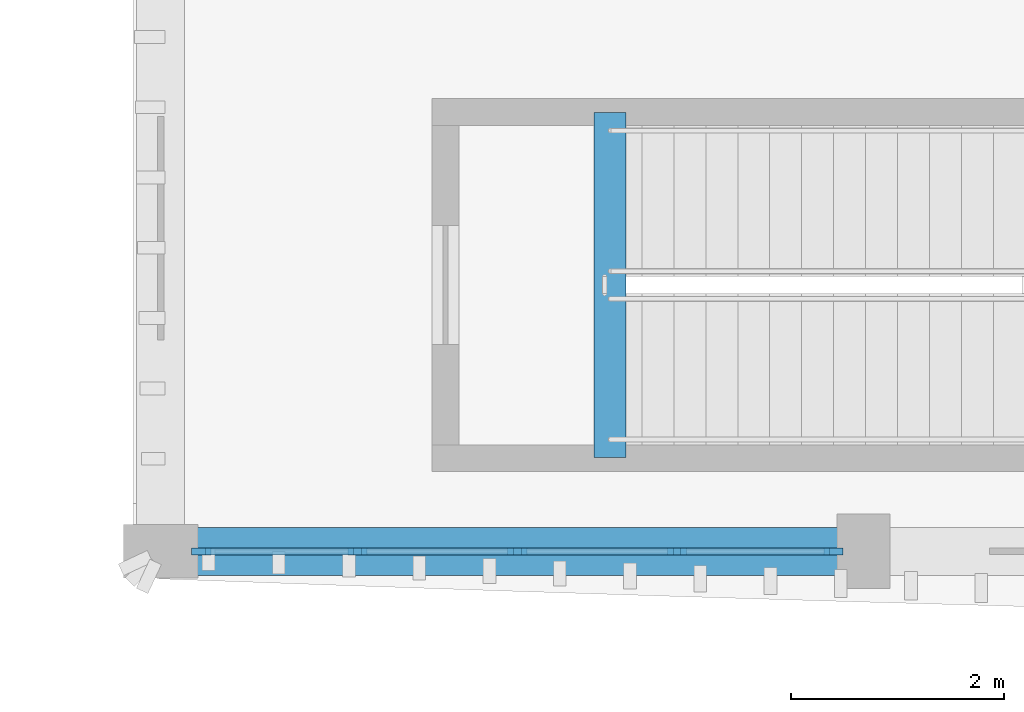
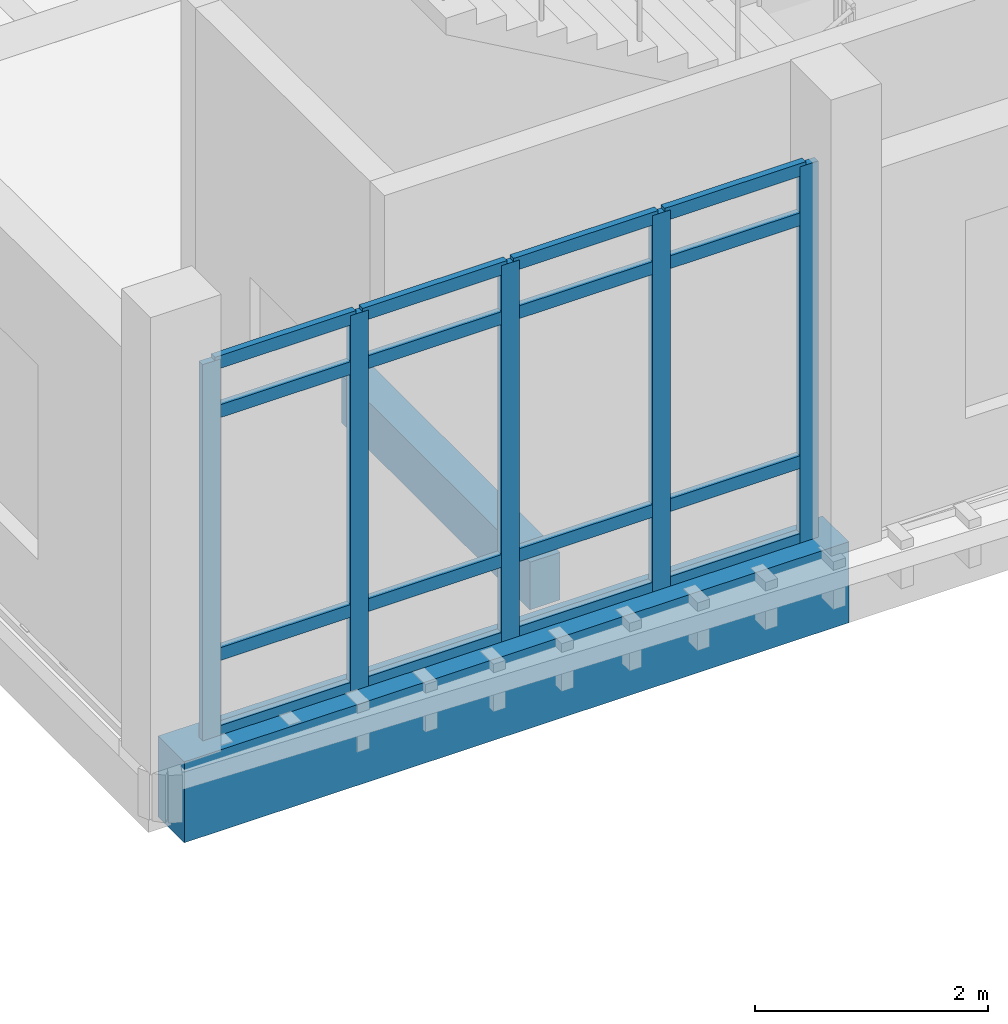
# One storey, part 32 of 101: 21 members, 2 beams, 1 element without a shape of its own.
"""IFC4 building model written with IfcOpenShell, lengths in metres."""

from ifc_helpers import new_model, si_unit, direction, frame, origin, origin_2d, place, context, subcontext, project, spatial, rectangle, extrude, material, material_profile, profile_set, type_object, element, aggregate, save


model = new_model("IFC4")

# Units and contexts
model_context = context("Model", 3, precision=1e-05, world=origin(), true_north=direction((0.0, 1.0)))
body_context = subcontext(model_context, "Body", "Model", "MODEL_VIEW")
ifc_project = project(units=[si_unit("LENGTHUNIT", "METRE"), si_unit("AREAUNIT", "SQUARE_METRE"), si_unit("VOLUMEUNIT", "CUBIC_METRE"), si_unit("PLANEANGLEUNIT", "RADIAN"), si_unit("MASSUNIT", "GRAM", prefix="KILO")], contexts=[model_context])

# Site, building, storey
site_placement = place(None, origin())
site = spatial("IfcSite", under=ifc_project, at=site_placement, CompositionType="ELEMENT")
building_placement = place(site_placement, origin())
building = spatial("IfcBuilding", under=site, at=building_placement, Name="Dornvale Research Institute", CompositionType="ELEMENT")
storey_placement = place(building_placement, frame((0.0, 0.0, 10.199951171875)))
storey = spatial("IfcBuildingStorey", under=building, at=storey_placement, Name="L02", CompositionType="ELEMENT", Elevation=10.199951171875)

# Beam
ifc_material_1 = material(Name="Concrete f'c 45 MPa (C35/45)", Category="concrete")
ifc_material_profile_1 = material_profile(ifc_material_1, rectangle(XDim=0.300048828125, YDim=0.5, at=origin_2d()), Name="RC 300x500")
ifc_profile_set_1 = profile_set([ifc_material_profile_1], Name="Concrete f'c 45 MPa (C35/45)")
beam_type_1 = type_object("IfcBeamType", Name="Beam_RC300x500_Trim", PredefinedType="BEAM", material=ifc_profile_set_1)
beam_1_placement = place(storey_placement, frame((123.02001953125, 93.280029296875, -0.25), z_axis=(0.0, 1.0, 0.0), x_axis=(-1.0, 0.0, 0.0)))
element("IfcBeam", 1, at=beam_1_placement, inside=storey, type_object=beam_type_1, Name="L02 ST-3 stair landing trimmer beam #49", PredefinedType="BEAM", context=body_context, shape_type="SweptSolid", body=[
    extrude(rectangle(XDim=0.300048828125, YDim=0.5, at=origin_2d()), origin(), (0.0, 0.0, 1.0), 3.239990234375),
])

# Curtain wall, members
ifc_material_2 = material(Name="Low-E Argon Double Insulating Glazing Unit", Category="glass")
curtain_wall_type = type_object("IfcCurtainWallType", Name="UnitisedCurtainWall_V4_6000x3950", PredefinedType="USERDEFINED", material=ifc_material_2)
curtain_wall_placement = place(storey_placement, origin())
curtain_wall = element("IfcCurtainWall", 2, at=curtain_wall_placement, inside=storey, type_object=curtain_wall_type, Name="L02 V4 unitised curtain wall CW-14 #90", ObjectType="UNITISED CURTAIN WALL", PredefinedType="USERDEFINED")
ifc_material_3 = material(Name="Anodized Aluminum AA 6063-T6 Thermally Broken Frame", Category="aluminium")
ifc_material_profile_2 = material_profile(ifc_material_3, rectangle(XDim=0.06494140625, YDim=0.179931640625, at=origin_2d()), Name="ALU MULLION 65x180")
ifc_profile_set_2 = profile_set([ifc_material_profile_2], Name="Anodized Aluminum AA 6063-T6 Thermally Broken Frame")
member_type_1 = type_object("IfcMemberType", Name="Mullion_CW_65x180", PredefinedType="MULLION", material=ifc_profile_set_2)
member_1_placement = place(storey_placement, frame((125.117431640625, 92.39990234375, 0.0), z_axis=(0.0, 0.0, 1.0), x_axis=(0.0, -1.0, 0.0)))
member_1 = element("IfcMember", 3, at=member_1_placement, type_object=member_type_1, Name="CW-14 mullion 1", PredefinedType="MULLION", context=body_context, shape_type="SweptSolid", body=[
    extrude(rectangle(XDim=0.06494140625, YDim=0.179931640625, at=origin_2d()), origin(), (0.0, 0.0, 1.0), 3.949951171875),
])
member_2_placement = place(storey_placement, frame((123.64990234375, 92.39990234375, 0.0), z_axis=(0.0, 0.0, 1.0), x_axis=(0.0, -1.0, 0.0)))
member_2 = element("IfcMember", 4, at=member_2_placement, type_object=member_type_1, Name="CW-14 mullion 2", PredefinedType="MULLION", context=body_context, shape_type="SweptSolid", body=[
    extrude(rectangle(XDim=0.06494140625, YDim=0.179931640625, at=origin_2d()), origin(), (0.0, 0.0, 1.0), 3.949951171875),
])
member_3_placement = place(storey_placement, frame((122.14990234375, 92.39990234375, 0.0), z_axis=(0.0, 0.0, 1.0), x_axis=(0.0, -1.0, 0.0)))
member_3 = element("IfcMember", 5, at=member_3_placement, type_object=member_type_1, Name="CW-14 mullion 3", PredefinedType="MULLION", context=body_context, shape_type="SweptSolid", body=[
    extrude(rectangle(XDim=0.06494140625, YDim=0.179931640625, at=origin_2d()), origin(), (0.0, 0.0, 1.0), 3.949951171875),
])
member_4_placement = place(storey_placement, frame((120.64990234375, 92.39990234375, 0.0), z_axis=(0.0, 0.0, 1.0), x_axis=(0.0, -1.0, 0.0)))
member_4 = element("IfcMember", 6, at=member_4_placement, type_object=member_type_1, Name="CW-14 mullion 4", PredefinedType="MULLION", context=body_context, shape_type="SweptSolid", body=[
    extrude(rectangle(XDim=0.06494140625, YDim=0.179931640625, at=origin_2d()), origin(), (0.0, 0.0, 1.0), 3.949951171875),
])
member_5_placement = place(storey_placement, frame((119.1826171875, 92.39990234375, 0.0), z_axis=(0.0, 0.0, 1.0), x_axis=(0.0, -1.0, 0.0)))
member_5 = element("IfcMember", 7, at=member_5_placement, type_object=member_type_1, Name="CW-14 mullion 5", PredefinedType="MULLION", context=body_context, shape_type="SweptSolid", body=[
    extrude(rectangle(XDim=0.06494140625, YDim=0.179931640625, at=origin_2d()), origin(), (0.0, 0.0, 1.0), 3.949951171875),
])

# Beam
ifc_material_4 = material(Name="Concrete f'c 45 MPa (C35/45)", Category="concrete")
ifc_material_profile_3 = material_profile(ifc_material_4, rectangle(XDim=0.449951171875, YDim=0.85009765625, at=origin_2d()), Name="RC 450x850")
ifc_profile_set_3 = profile_set([ifc_material_profile_3], Name="Concrete f'c 45 MPa (C35/45)")
beam_type_2 = type_object("IfcBeamType", Name="Spandrel_RC450x850_Ext", PredefinedType="SPANDREL", material=ifc_profile_set_3)
beam_2_placement = place(storey_placement, frame((118.800048828125, 92.39990234375, -0.425048828125), z_axis=(1.0, 0.0, 0.0), x_axis=(0.0, 1.0, 0.0)))
element("IfcBeam", 8, at=beam_2_placement, inside=storey, type_object=beam_type_2, Name="L02 perimeter spandrel #635", PredefinedType="SPANDREL", context=body_context, shape_type="SweptSolid", body=[
    extrude(rectangle(XDim=0.449951171875, YDim=0.85009765625, at=origin_2d()), origin(), (0.0, 0.0, 1.0), 6.599853515625),
])

# Member
ifc_material_5 = material(Name="Anodized Aluminum AA 6063-T6 Thermally Broken Frame", Category="aluminium")
ifc_material_profile_4 = material_profile(ifc_material_5, rectangle(XDim=0.06494140625, YDim=0.135009765625, at=origin_2d()), Name="ALU TRANSOM 65x135")
ifc_profile_set_4 = profile_set([ifc_material_profile_4], Name="Anodized Aluminum AA 6063-T6 Thermally Broken Frame")
member_type_2 = type_object("IfcMemberType", Name="Transom_CW_65x135", PredefinedType="USERDEFINED", material=ifc_profile_set_4)
member_6_placement = place(storey_placement, frame((125.0849609375, 92.39990234375, 0.032470703125), z_axis=(-1.0, 0.0, 0.0), x_axis=(0.0, -1.0, 0.0)))
member_6 = element("IfcMember", 9, at=member_6_placement, type_object=member_type_2, Name="CW-14 transom 1.1", ObjectType="TRANSOM", PredefinedType="USERDEFINED", context=body_context, shape_type="SweptSolid", body=[
    extrude(rectangle(XDim=0.06494140625, YDim=0.135009765625, at=origin_2d()), origin(), (0.0, 0.0, 1.0), 1.40234375),
])

member_7_placement = place(storey_placement, frame((125.0849609375, 92.39990234375, 0.85009765625), z_axis=(-1.0, 0.0, 0.0), x_axis=(0.0, -1.0, 0.0)))
member_7 = element("IfcMember", 10, at=member_7_placement, type_object=member_type_2, Name="CW-14 transom 1.2", ObjectType="TRANSOM", PredefinedType="USERDEFINED", context=body_context, shape_type="SweptSolid", body=[
    extrude(rectangle(XDim=0.06494140625, YDim=0.135009765625, at=origin_2d()), origin(), (0.0, 0.0, 1.0), 1.40234375),
])

member_8_placement = place(storey_placement, frame((125.0849609375, 92.39990234375, 3.400146484375), z_axis=(-1.0, 0.0, 0.0), x_axis=(0.0, -1.0, 0.0)))
member_8 = element("IfcMember", 11, at=member_8_placement, type_object=member_type_2, Name="CW-14 transom 1.3", ObjectType="TRANSOM", PredefinedType="USERDEFINED", context=body_context, shape_type="SweptSolid", body=[
    extrude(rectangle(XDim=0.06494140625, YDim=0.135009765625, at=origin_2d()), origin(), (0.0, 0.0, 1.0), 1.40234375),
])

member_9_placement = place(storey_placement, frame((125.0849609375, 92.39990234375, 3.91748046875), z_axis=(-1.0, 0.0, 0.0), x_axis=(0.0, -1.0, 0.0)))
member_9 = element("IfcMember", 12, at=member_9_placement, type_object=member_type_2, Name="CW-14 transom 1.4", ObjectType="TRANSOM", PredefinedType="USERDEFINED", context=body_context, shape_type="SweptSolid", body=[
    extrude(rectangle(XDim=0.06494140625, YDim=0.135009765625, at=origin_2d()), origin(), (0.0, 0.0, 1.0), 1.40234375),
])

member_10_placement = place(storey_placement, frame((123.617431640625, 92.39990234375, 0.032470703125), z_axis=(-1.0, 0.0, 0.0), x_axis=(0.0, -1.0, 0.0)))
member_10 = element("IfcMember", 13, at=member_10_placement, type_object=member_type_2, Name="CW-14 transom 2.1", ObjectType="TRANSOM", PredefinedType="USERDEFINED", context=body_context, shape_type="SweptSolid", body=[
    extrude(rectangle(XDim=0.06494140625, YDim=0.135009765625, at=origin_2d()), origin(), (0.0, 0.0, 1.0), 1.434814453125),
])

member_11_placement = place(storey_placement, frame((123.617431640625, 92.39990234375, 0.85009765625), z_axis=(-1.0, 0.0, 0.0), x_axis=(0.0, -1.0, 0.0)))
member_11 = element("IfcMember", 14, at=member_11_placement, type_object=member_type_2, Name="CW-14 transom 2.2", ObjectType="TRANSOM", PredefinedType="USERDEFINED", context=body_context, shape_type="SweptSolid", body=[
    extrude(rectangle(XDim=0.06494140625, YDim=0.135009765625, at=origin_2d()), origin(), (0.0, 0.0, 1.0), 1.434814453125),
])

member_12_placement = place(storey_placement, frame((123.617431640625, 92.39990234375, 3.400146484375), z_axis=(-1.0, 0.0, 0.0), x_axis=(0.0, -1.0, 0.0)))
member_12 = element("IfcMember", 15, at=member_12_placement, type_object=member_type_2, Name="CW-14 transom 2.3", ObjectType="TRANSOM", PredefinedType="USERDEFINED", context=body_context, shape_type="SweptSolid", body=[
    extrude(rectangle(XDim=0.06494140625, YDim=0.135009765625, at=origin_2d()), origin(), (0.0, 0.0, 1.0), 1.434814453125),
])

member_13_placement = place(storey_placement, frame((123.617431640625, 92.39990234375, 3.91748046875), z_axis=(-1.0, 0.0, 0.0), x_axis=(0.0, -1.0, 0.0)))
member_13 = element("IfcMember", 16, at=member_13_placement, type_object=member_type_2, Name="CW-14 transom 2.4", ObjectType="TRANSOM", PredefinedType="USERDEFINED", context=body_context, shape_type="SweptSolid", body=[
    extrude(rectangle(XDim=0.06494140625, YDim=0.135009765625, at=origin_2d()), origin(), (0.0, 0.0, 1.0), 1.434814453125),
])

member_14_placement = place(storey_placement, frame((122.117431640625, 92.39990234375, 0.032470703125), z_axis=(-1.0, 0.0, 0.0), x_axis=(0.0, -1.0, 0.0)))
member_14 = element("IfcMember", 17, at=member_14_placement, type_object=member_type_2, Name="CW-14 transom 3.1", ObjectType="TRANSOM", PredefinedType="USERDEFINED", context=body_context, shape_type="SweptSolid", body=[
    extrude(rectangle(XDim=0.06494140625, YDim=0.135009765625, at=origin_2d()), origin(), (0.0, 0.0, 1.0), 1.434814453125),
])

member_15_placement = place(storey_placement, frame((122.117431640625, 92.39990234375, 0.85009765625), z_axis=(-1.0, 0.0, 0.0), x_axis=(0.0, -1.0, 0.0)))
member_15 = element("IfcMember", 18, at=member_15_placement, type_object=member_type_2, Name="CW-14 transom 3.2", ObjectType="TRANSOM", PredefinedType="USERDEFINED", context=body_context, shape_type="SweptSolid", body=[
    extrude(rectangle(XDim=0.06494140625, YDim=0.135009765625, at=origin_2d()), origin(), (0.0, 0.0, 1.0), 1.434814453125),
])

member_16_placement = place(storey_placement, frame((122.117431640625, 92.39990234375, 3.400146484375), z_axis=(-1.0, 0.0, 0.0), x_axis=(0.0, -1.0, 0.0)))
member_16 = element("IfcMember", 19, at=member_16_placement, type_object=member_type_2, Name="CW-14 transom 3.3", ObjectType="TRANSOM", PredefinedType="USERDEFINED", context=body_context, shape_type="SweptSolid", body=[
    extrude(rectangle(XDim=0.06494140625, YDim=0.135009765625, at=origin_2d()), origin(), (0.0, 0.0, 1.0), 1.434814453125),
])

member_17_placement = place(storey_placement, frame((122.117431640625, 92.39990234375, 3.91748046875), z_axis=(-1.0, 0.0, 0.0), x_axis=(0.0, -1.0, 0.0)))
member_17 = element("IfcMember", 20, at=member_17_placement, type_object=member_type_2, Name="CW-14 transom 3.4", ObjectType="TRANSOM", PredefinedType="USERDEFINED", context=body_context, shape_type="SweptSolid", body=[
    extrude(rectangle(XDim=0.06494140625, YDim=0.135009765625, at=origin_2d()), origin(), (0.0, 0.0, 1.0), 1.434814453125),
])

member_18_placement = place(storey_placement, frame((120.617431640625, 92.39990234375, 0.032470703125), z_axis=(-1.0, 0.0, 0.0), x_axis=(0.0, -1.0, 0.0)))
member_18 = element("IfcMember", 21, at=member_18_placement, type_object=member_type_2, Name="CW-14 transom 4.1", ObjectType="TRANSOM", PredefinedType="USERDEFINED", context=body_context, shape_type="SweptSolid", body=[
    extrude(rectangle(XDim=0.06494140625, YDim=0.135009765625, at=origin_2d()), origin(), (0.0, 0.0, 1.0), 1.40234375),
])

member_19_placement = place(storey_placement, frame((120.617431640625, 92.39990234375, 0.85009765625), z_axis=(-1.0, 0.0, 0.0), x_axis=(0.0, -1.0, 0.0)))
member_19 = element("IfcMember", 22, at=member_19_placement, type_object=member_type_2, Name="CW-14 transom 4.2", ObjectType="TRANSOM", PredefinedType="USERDEFINED", context=body_context, shape_type="SweptSolid", body=[
    extrude(rectangle(XDim=0.06494140625, YDim=0.135009765625, at=origin_2d()), origin(), (0.0, 0.0, 1.0), 1.40234375),
])

member_20_placement = place(storey_placement, frame((120.617431640625, 92.39990234375, 3.400146484375), z_axis=(-1.0, 0.0, 0.0), x_axis=(0.0, -1.0, 0.0)))
member_20 = element("IfcMember", 23, at=member_20_placement, type_object=member_type_2, Name="CW-14 transom 4.3", ObjectType="TRANSOM", PredefinedType="USERDEFINED", context=body_context, shape_type="SweptSolid", body=[
    extrude(rectangle(XDim=0.06494140625, YDim=0.135009765625, at=origin_2d()), origin(), (0.0, 0.0, 1.0), 1.40234375),
])

member_21_placement = place(storey_placement, frame((120.617431640625, 92.39990234375, 3.91748046875), z_axis=(-1.0, 0.0, 0.0), x_axis=(0.0, -1.0, 0.0)))
member_21 = element("IfcMember", 24, at=member_21_placement, type_object=member_type_2, Name="CW-14 transom 4.4", ObjectType="TRANSOM", PredefinedType="USERDEFINED", context=body_context, shape_type="SweptSolid", body=[
    extrude(rectangle(XDim=0.06494140625, YDim=0.135009765625, at=origin_2d()), origin(), (0.0, 0.0, 1.0), 1.40234375),
])

aggregate(curtain_wall, [member_1, member_2, member_3, member_4, member_5, member_6, member_7, member_8, member_9, member_10, member_11, member_12, member_13, member_14, member_15, member_16, member_17, member_18, member_19, member_20, member_21])

save(model, "model.ifc")
